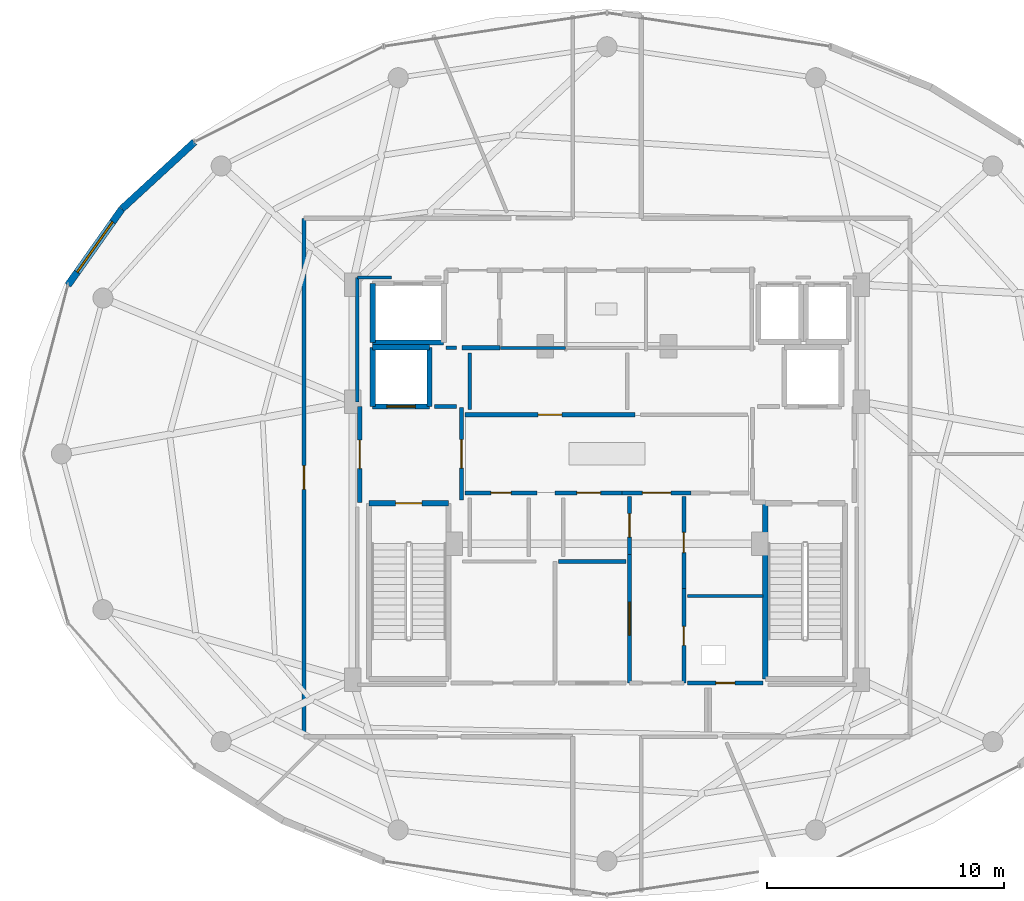
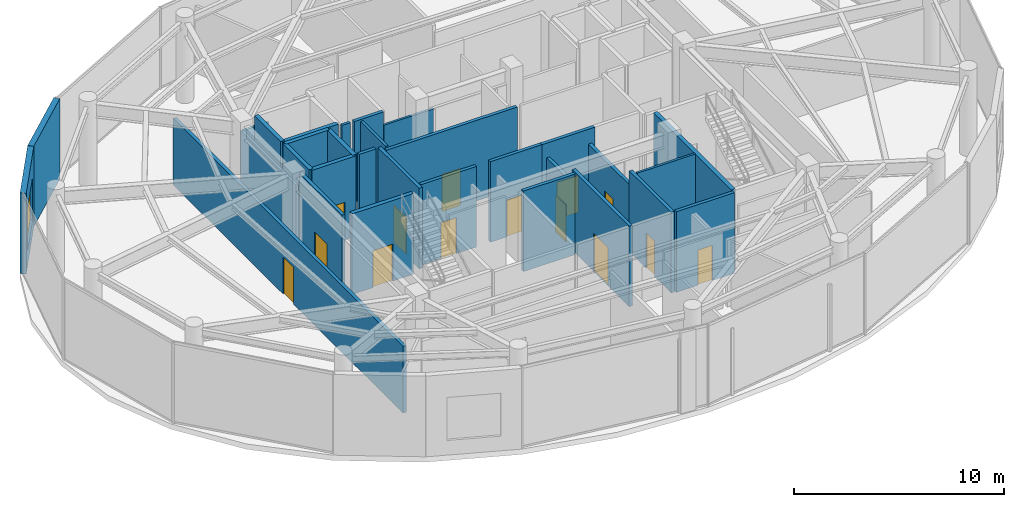
# One storey, part 20 of 24: 31 walls, 14 doors, 1 window, 15 openings.
"""IFC4 building model written with IfcOpenShell, lengths in metres."""

from ifc_helpers import new_model, si_unit, direction, frame, frame_2d, origin, place, context, subcontext, project, spatial, rectangle, extrude, material, layer, layer_set, type_object, element, fill, save


model = new_model("IFC4")

# Units and contexts
model_context = context("Model", 3, precision=1e-05, world=origin(), true_north=direction((0.0, 1.0)))
body_context = subcontext(model_context, "Body", "Model", "MODEL_VIEW")
ifc_project = project(units=[si_unit("LENGTHUNIT", "METRE"), si_unit("AREAUNIT", "SQUARE_METRE"), si_unit("VOLUMEUNIT", "CUBIC_METRE"), si_unit("PLANEANGLEUNIT", "RADIAN"), si_unit("MASSUNIT", "GRAM", prefix="KILO")], contexts=[model_context])

# Site, building, storey
site_placement = place(None, origin())
site = spatial("IfcSite", under=ifc_project, at=site_placement, CompositionType="ELEMENT")
building_placement = place(site_placement, origin())
building = spatial("IfcBuilding", under=site, at=building_placement, Name="Vorneva Point Tower", CompositionType="ELEMENT")
storey_placement = place(building_placement, frame((0.0, 0.0, 285.39990234375)))
storey = spatial("IfcBuildingStorey", under=building, at=storey_placement, Name="L77", CompositionType="ELEMENT", Elevation=285.39990234375)

# Wall, opening, door
ifc_material_1 = material(Name="Concrete B60 (C50/60)", Category="concrete")
ifc_layer_1 = layer(ifc_material_1, 0.35009765625)
ifc_layer_set_1 = layer_set([ifc_layer_1], Name="Concrete B60 (C50/60)")
wall_type_1 = type_object("IfcWallType", Name="WL-CORE-350", PredefinedType="SHEAR", material=ifc_layer_set_1)
wall_1_placement = place(storey_placement, frame((28.10009765625, 28.0, 0.0), z_axis=(0.0, 0.0, 1.0), x_axis=(1.0, 0.0, 0.0)))
wall_1 = element("IfcWall", 1, at=wall_1_placement, inside=storey, type_object=wall_type_1, Name="L77 Lift FFL1 Shaft Wall -Y", PredefinedType="SHEAR", context=body_context, shape_type="SweptSolid", body=[
    extrude(rectangle(XDim=2.39990234375, YDim=0.219970703125, at=frame_2d((1.199951171875, 0.0))), origin(), (0.0, 0.0, 1.0), 4.690185546875),
])
opening_1_placement = place(wall_1_placement, frame((0.60009765625, 0.0, 0.0)))
opening_1 = element("IfcOpeningElement", 2, at=opening_1_placement, cuts=wall_1, Name="Opening LD-02", PredefinedType="OPENING", context=body_context, shape_type="SweptSolid", body=[
    extrude(rectangle(XDim=1.199951171875, YDim=2.199951171875, at=frame_2d((0.60009765625, 1.10009765625))), frame((0.0, 0.125, 0.0), z_axis=(0.0, -1.0, 0.0), x_axis=(1.0, 0.0, 0.0)), (0.0, 0.0, 1.0), 0.249755859375),
])
ifc_material_2 = material(Name="Brushed stainless steel S304", Category="steel")
door_type_1 = type_object("IfcDoorType", Name="LD-FIRE-1200", OperationType="SLIDING_TO_LEFT", PredefinedType="DOOR", material=ifc_material_2)
door_1_placement = place(opening_1_placement, origin())
door_1 = element("IfcDoor", 3, at=door_1_placement, inside=storey, type_object=door_type_1, Name="L77 Lift FFL1 Sliding Landing Door", OperationType="SLIDING_TO_LEFT", OverallHeight=2.199951171875, OverallWidth=1.199951171875, PredefinedType="DOOR", context=body_context, shape_type="SweptSolid", body=[
    extrude(rectangle(XDim=1.199951171875, YDim=2.199951171875, at=frame_2d((0.60009765625, 1.10009765625))), frame((0.0, 0.02490234375, 0.0), z_axis=(0.0, -1.0, 0.0), x_axis=(1.0, 0.0, 0.0)), (0.0, 0.0, 1.0), 0.050048828125),
])
fill(opening_1, door_1)

# Walls
wall_2_placement = place(storey_placement, frame((30.5, 28.0, 0.0), z_axis=(0.0, 0.0, 1.0), x_axis=(0.0, 1.0, 0.0)))
element("IfcWall", 4, at=wall_2_placement, inside=storey, type_object=wall_type_1, Name="L77 Lift FFL1 Shaft Wall +X", PredefinedType="SHEAR", context=body_context, shape_type="SweptSolid", body=[
    extrude(rectangle(XDim=2.5, YDim=0.219970703125, at=frame_2d((1.25, 0.0))), origin(), (0.0, 0.0, 1.0), 4.690185546875),
])
wall_3_placement = place(storey_placement, frame((30.5, 30.5, 0.0), z_axis=(0.0, 0.0, 1.0), x_axis=(-1.0, 0.0, 0.0)))
element("IfcWall", 5, at=wall_3_placement, inside=storey, type_object=wall_type_1, Name="L77 Lift FFL1 Shaft Wall +Y", PredefinedType="SHEAR", context=body_context, shape_type="SweptSolid", body=[
    extrude(rectangle(XDim=2.39990234375, YDim=0.219970703125, at=frame_2d((1.199951171875, 0.0))), origin(), (0.0, 0.0, 1.0), 4.690185546875),
])
wall_4_placement = place(storey_placement, frame((28.10009765625, 30.5, 0.0), z_axis=(0.0, 0.0, 1.0), x_axis=(0.0, -1.0, 0.0)))
element("IfcWall", 6, at=wall_4_placement, inside=storey, type_object=wall_type_1, Name="L77 Lift FFL1 Shaft Wall -X", PredefinedType="SHEAR", context=body_context, shape_type="SweptSolid", body=[
    extrude(rectangle(XDim=2.5, YDim=0.219970703125, at=frame_2d((1.25, 0.0))), origin(), (0.0, 0.0, 1.0), 4.690185546875),
])
ifc_material_3 = material(Name="Precast concrete B50 (C40/50)", Category="concrete")
ifc_layer_2 = layer(ifc_material_3, 0.300048828125)
ifc_layer_set_2 = layer_set([ifc_layer_2], Name="Precast concrete B50 (C40/50)")
wall_type_2 = type_object("IfcWallType", Name="WL-EXT-300", PredefinedType="STANDARD", material=ifc_layer_set_2)
wall_5_placement = place(storey_placement, frame((20.56982421875, 39.17333984375, 0.0), z_axis=(0.0, 0.0, 1.0), x_axis=(-0.735595808164, -0.677420701641, 0.0)))
element("IfcWall", 7, at=wall_5_placement, inside=storey, type_object=wall_type_2, Name="L77 Pale-Metal Facade Spandrel Wall 07.1", PredefinedType="STANDARD", context=body_context, shape_type="SweptSolid", body=[
    extrude(rectangle(XDim=4.167236328125, YDim=0.300048828125, at=frame_2d((2.08349609375, 0.0))), origin(), (0.0, 0.0, 1.0), 4.690185546875),
])

# Wall, opening, window
wall_6_placement = place(storey_placement, frame((17.50439453125, 36.350341796875, 0.0), z_axis=(0.0, 0.0, 1.0), x_axis=(-0.577438563223, -0.816434140457, 0.0)))
wall_6 = element("IfcWall", 8, at=wall_6_placement, inside=storey, type_object=wall_type_2, Name="L77 Pale-Metal Facade Spandrel Wall 07.2", PredefinedType="STANDARD", context=body_context, shape_type="SweptSolid", body=[
    extrude(rectangle(XDim=3.945068359375, YDim=0.300048828125, at=frame_2d((1.97265625, 0.0))), origin(), (0.0, 0.0, 1.0), 4.690185546875),
])
opening_2_placement = place(wall_6_placement, frame((0.672607421875, 0.0, 0.85009765625)))
opening_2 = element("IfcOpeningElement", 9, at=opening_2_placement, cuts=wall_6, Name="Opening W-06", PredefinedType="OPENING", context=body_context, shape_type="SweptSolid", body=[
    extrude(rectangle(XDim=2.60009765625, YDim=2.5, at=frame_2d((1.300048828125, 1.25))), frame((0.0, 0.1650390625, 0.0), z_axis=(0.0, -1.0, 0.0), x_axis=(1.0, 0.0, 0.0)), (0.0, 0.0, 1.0), 0.329833984375),
])
ifc_material_4 = material(Name="Double low-e laminated glass IGU", Category="glass")
window_type = type_object("IfcWindowType", Name="WN-OBS-2600", PartitioningType="SINGLE_PANEL", PredefinedType="WINDOW", material=ifc_material_4)
window_placement = place(opening_2_placement, origin())
window = element("IfcWindow", 10, at=window_placement, inside=storey, type_object=window_type, Name="L77 Facade Window 07", OverallHeight=2.5, OverallWidth=2.60009765625, PartitioningType="SINGLE_PANEL", PredefinedType="WINDOW", context=body_context, shape_type="SweptSolid", body=[
    extrude(rectangle(XDim=2.60009765625, YDim=2.5, at=frame_2d((1.300048828125, 1.25))), frame((0.0, 0.030029296875, 0.0), z_axis=(0.0, -1.0, 0.0), x_axis=(1.0, 0.0, 0.0)), (0.0, 0.0, 1.0), 0.06005859375),
])
fill(opening_2, window)

# Walls
ifc_material_5 = material(Name="Fire-rated acoustic gypsum stud partition", Category="gypsum")
ifc_layer_3 = layer(ifc_material_5, 0.125)
ifc_layer_set_3 = layer_set([ifc_layer_3], Name="Fire-rated acoustic gypsum stud partition")
wall_type_3 = type_object("IfcWallType", Name="WL-PART-125", PredefinedType="PARTITIONING", material=ifc_layer_set_3)
wall_7_placement = place(storey_placement, frame((44.60009765625, 20.0, 0.0), z_axis=(0.0, 0.0, 1.0), x_axis=(-1.0, 0.0, 0.0)))
element("IfcWall", 11, at=wall_7_placement, inside=storey, type_object=wall_type_3, Name="L77 Interior Partition 020", PredefinedType="PARTITIONING", context=body_context, shape_type="SweptSolid", body=[
    extrude(rectangle(XDim=3.2001953125, YDim=0.125, at=frame_2d((1.60009765625, 0.0))), origin(), (0.0, 0.0, 1.0), 4.690185546875),
])
wall_8_placement = place(storey_placement, frame((33.5, 30.47998046875, 0.0), z_axis=(0.0, 0.0, 1.0), x_axis=(1.0, 0.0, 0.0)))
element("IfcWall", 12, at=wall_8_placement, inside=storey, type_object=wall_type_3, Name="L77 Interior Partition 023", PredefinedType="PARTITIONING", context=body_context, shape_type="SweptSolid", body=[
    extrude(rectangle(XDim=2.75, YDim=0.125, at=frame_2d((1.375, 0.0))), origin(), (0.0, 0.0, 1.0), 3.882080078125),
])
ifc_layer_4 = layer(ifc_material_5, 0.139892578125)
ifc_layer_set_4 = layer_set([ifc_layer_4], Name="Fire-rated acoustic gypsum stud partition")
wall_type_4 = type_object("IfcWallType", Name="WL-PART-140", PredefinedType="PARTITIONING", material=ifc_layer_set_4)
wall_9_placement = place(storey_placement, frame((31.199951171875, 30.47998046875, 0.0), z_axis=(0.0, 0.0, 1.0), x_axis=(1.0, 0.0, 0.0)))
element("IfcWall", 13, at=wall_9_placement, inside=storey, type_object=wall_type_4, Name="L77 Interior Closure Partition 051", PredefinedType="PARTITIONING", context=body_context, shape_type="SweptSolid", body=[
    extrude(rectangle(XDim=0.449951171875, YDim=0.139892578125, at=frame_2d((0.22509765625, 0.0))), origin(), (0.0, 0.0, 1.0), 4.690185546875),
])
wall_10_placement = place(storey_placement, frame((32.199951171875, 30.260009765625, 0.0), z_axis=(0.0, 0.0, 1.0), x_axis=(0.0, -1.0, 0.0)))
element("IfcWall", 14, at=wall_10_placement, inside=storey, type_object=wall_type_4, Name="L77 Interior Closure Partition 055", PredefinedType="PARTITIONING", context=body_context, shape_type="SweptSolid", body=[
    extrude(rectangle(XDim=2.389892578125, YDim=0.139892578125, at=frame_2d((1.19482421875, 0.0))), origin(), (0.0, 0.0, 1.0), 4.690185546875),
])
wall_11_placement = place(storey_placement, frame((28.89404296875, 33.449951171875, 0.0), z_axis=(0.0, 0.0, 1.0), x_axis=(-1.0, 0.0, 0.0)))
element("IfcWall", 15, at=wall_11_placement, inside=storey, type_object=wall_type_4, Name="L77 Interior Closure Partition 071", PredefinedType="PARTITIONING", context=body_context, shape_type="SweptSolid", body=[
    extrude(rectangle(XDim=1.444091796875, YDim=0.139892578125, at=frame_2d((0.72216796875, 0.0))), origin(), (0.0, 0.0, 1.0), 3.882080078125),
])
wall_12_placement = place(storey_placement, frame((27.449951171875, 33.449951171875, 0.0), z_axis=(0.0, 0.0, 1.0), x_axis=(0.0, -1.0, 0.0)))
element("IfcWall", 16, at=wall_12_placement, inside=storey, type_object=wall_type_4, Name="L77 Interior Closure Partition 072", PredefinedType="PARTITIONING", context=body_context, shape_type="SweptSolid", body=[
    extrude(rectangle(XDim=5.25390625, YDim=0.139892578125, at=frame_2d((2.626953125, 0.0))), origin(), (0.0, 0.0, 1.0), 3.882080078125),
])

# Wall, opening, door
ifc_material_6 = material(Name="Autoclaved aerated concrete blockwork", Category="masonry")
ifc_layer_5 = layer(ifc_material_6, 0.179931640625)
ifc_layer_set_5 = layer_set([ifc_layer_5], Name="Autoclaved aerated concrete blockwork")
wall_type_5 = type_object("IfcWallType", Name="WL-PART-180", PredefinedType="PARTITIONING", material=ifc_layer_set_5)
wall_13_placement = place(storey_placement, frame((31.85009765625, 24.044921875, 0.0), z_axis=(0.0, 0.0, 1.0), x_axis=(0.0, 1.0, 0.0)))
wall_13 = element("IfcWall", 17, at=wall_13_placement, inside=storey, type_object=wall_type_5, Name="L77 Interior Partition 001", PredefinedType="PARTITIONING", context=body_context, shape_type="SweptSolid", body=[
    extrude(rectangle(XDim=3.91015625, YDim=0.179931640625, at=frame_2d((1.955078125, 0.0))), origin(), (0.0, 0.0, 1.0), 4.690185546875),
])
opening_3_placement = place(wall_13_placement, frame((1.35498046875, 0.0, 0.0)))
opening_3 = element("IfcOpeningElement", 18, at=opening_3_placement, cuts=wall_13, Name="Opening FD-02", PredefinedType="OPENING", context=body_context, shape_type="SweptSolid", body=[
    extrude(rectangle(XDim=1.199951171875, YDim=2.14990234375, at=frame_2d((0.60009765625, 1.074951171875))), frame((0.0, 0.10498046875, 0.0), z_axis=(0.0, -1.0, 0.0), x_axis=(1.0, 0.0, 0.0)), (0.0, 0.0, 1.0), 0.209716796875),
])
ifc_material_7 = material(Name="Fire-rated powder-coated steel", Category="steel")
door_type_2 = type_object("IfcDoorType", Name="DR-FFL-1200", OperationType="NOTDEFINED", PredefinedType="DOOR", material=ifc_material_7)
door_2_placement = place(opening_3_placement, origin())
door_2 = element("IfcDoor", 19, at=door_2_placement, inside=storey, type_object=door_type_2, Name="L77 Door West Firefighting Lobby / Central Lift Lobby", OperationType="SINGLE_SWING_LEFT", OverallHeight=2.14990234375, OverallWidth=1.199951171875, PredefinedType="DOOR", context=body_context, shape_type="SweptSolid", body=[
    extrude(rectangle(XDim=1.199951171875, YDim=2.14990234375, at=frame_2d((0.60009765625, 1.074951171875))), frame((0.0, 0.02490234375, 0.0), z_axis=(0.0, -1.0, 0.0), x_axis=(1.0, 0.0, 0.0)), (0.0, 0.0, 1.0), 0.050048828125),
])
fill(opening_3, door_2)

wall_14_placement = place(storey_placement, frame((27.550048828125, 28.0, 0.0), z_axis=(0.0, 0.0, 1.0), x_axis=(0.0, -1.0, 0.0)))
wall_14 = element("IfcWall", 20, at=wall_14_placement, inside=storey, type_object=wall_type_5, Name="L77 Interior Partition 002", PredefinedType="PARTITIONING", context=body_context, shape_type="SweptSolid", body=[
    extrude(rectangle(XDim=4.050048828125, YDim=0.179931640625, at=frame_2d((2.02490234375, 0.0))), origin(), (0.0, 0.0, 1.0), 4.690185546875),
])
opening_4_placement = place(wall_14_placement, frame((1.425048828125, 0.0, 0.0)))
opening_4 = element("IfcOpeningElement", 21, at=opening_4_placement, cuts=wall_14, Name="Opening FD-02", PredefinedType="OPENING", context=body_context, shape_type="SweptSolid", body=[
    extrude(rectangle(XDim=1.199951171875, YDim=2.14990234375, at=frame_2d((0.60009765625, 1.074951171875))), frame((0.0, 0.10498046875, 0.0), z_axis=(0.0, -1.0, 0.0), x_axis=(1.0, 0.0, 0.0)), (0.0, 0.0, 1.0), 0.209716796875),
])
door_3_placement = place(opening_4_placement, origin())
door_3 = element("IfcDoor", 22, at=door_3_placement, inside=storey, type_object=door_type_2, Name="L77 Door West Firefighting Lobby / L77 Circulation Corridor", OperationType="SINGLE_SWING_RIGHT", OverallHeight=2.14990234375, OverallWidth=1.199951171875, PredefinedType="DOOR", context=body_context, shape_type="SweptSolid", body=[
    extrude(rectangle(XDim=1.199951171875, YDim=2.14990234375, at=frame_2d((0.60009765625, 1.074951171875))), frame((0.0, 0.02490234375, 0.0), z_axis=(0.0, -1.0, 0.0), x_axis=(1.0, 0.0, 0.0)), (0.0, 0.0, 1.0), 0.050048828125),
])
fill(opening_4, door_3)

# Wall
wall_15_placement = place(storey_placement, frame((31.8701171875, 30.47998046875, 0.0), z_axis=(0.0, 0.0, 1.0), x_axis=(1.0, 0.0, 0.0)))
element("IfcWall", 23, at=wall_15_placement, inside=storey, type_object=wall_type_5, Name="L77 Interior Partition 007", PredefinedType="PARTITIONING", context=body_context, shape_type="SweptSolid", body=[
    extrude(rectangle(XDim=1.599853515625, YDim=0.179931640625, at=frame_2d((0.7998046875, 0.0))), origin(), (0.0, 0.0, 1.0), 4.690185546875),
])

# Wall, opening, door
wall_16_placement = place(storey_placement, frame((38.64501953125, 24.35009765625, 0.0), z_axis=(0.0, 0.0, 1.0), x_axis=(1.0, 0.0, 0.0)))
wall_16 = element("IfcWall", 24, at=wall_16_placement, inside=storey, type_object=wall_type_5, Name="L77 Interior Partition 010", PredefinedType="PARTITIONING", context=body_context, shape_type="SweptSolid", body=[
    extrude(rectangle(XDim=2.909912109375, YDim=0.179931640625, at=frame_2d((1.455078125, 0.0))), origin(), (0.0, 0.0, 1.0), 4.690185546875),
])
opening_5_placement = place(wall_16_placement, frame((0.85498046875, 0.0, 0.0)))
opening_5 = element("IfcOpeningElement", 25, at=opening_5_placement, cuts=wall_16, Name="Opening FD-02", PredefinedType="OPENING", context=body_context, shape_type="SweptSolid", body=[
    extrude(rectangle(XDim=1.199951171875, YDim=2.14990234375, at=frame_2d((0.60009765625, 1.074951171875))), frame((0.0, 0.10498046875, 0.0), z_axis=(0.0, -1.0, 0.0), x_axis=(1.0, 0.0, 0.0)), (0.0, 0.0, 1.0), 0.209716796875),
])
door_4_placement = place(opening_5_placement, origin())
door_4 = element("IfcDoor", 26, at=door_4_placement, inside=storey, type_object=door_type_2, Name="L77 Door Central Lift Lobby / Core Service Lobby", OperationType="SINGLE_SWING_LEFT", OverallHeight=2.14990234375, OverallWidth=1.199951171875, PredefinedType="DOOR", context=body_context, shape_type="SweptSolid", body=[
    extrude(rectangle(XDim=1.199951171875, YDim=2.14990234375, at=frame_2d((0.60009765625, 1.074951171875))), frame((0.0, 0.02490234375, 0.0), z_axis=(0.0, -1.0, 0.0), x_axis=(1.0, 0.0, 0.0)), (0.0, 0.0, 1.0), 0.050048828125),
])
fill(opening_5, door_4)

wall_17_placement = place(storey_placement, frame((39.18994140625, 27.64990234375, 0.0), z_axis=(0.0, 0.0, 1.0), x_axis=(-1.0, 0.0, 0.0)))
wall_17 = element("IfcWall", 27, at=wall_17_placement, inside=storey, type_object=wall_type_5, Name="L77 Interior Partition 012", PredefinedType="PARTITIONING", context=body_context, shape_type="SweptSolid", body=[
    extrude(rectangle(XDim=7.18994140625, YDim=0.179931640625, at=frame_2d((3.594970703125, 0.0))), origin(), (0.0, 0.0, 1.0), 4.690185546875),
])
opening_6_placement = place(wall_17_placement, frame((3.094970703125, 0.0, 0.0)))
opening_6 = element("IfcOpeningElement", 28, at=opening_6_placement, cuts=wall_17, Name="Opening UD-01", PredefinedType="OPENING", context=body_context, shape_type="SweptSolid", body=[
    extrude(rectangle(XDim=1.0, YDim=2.14990234375, at=frame_2d((0.5, 1.074951171875))), frame((0.0, 0.10498046875, 0.0), z_axis=(0.0, -1.0, 0.0), x_axis=(1.0, 0.0, 0.0)), (0.0, 0.0, 1.0), 0.209716796875),
])
ifc_material_8 = material(Name="Engineered oak fire-rated door leaf", Category="wood")
door_type_3 = type_object("IfcDoorType", Name="DR-UNIT-1000", OperationType="NOTDEFINED", PredefinedType="DOOR", material=ifc_material_8)
door_5_placement = place(opening_6_placement, origin())
door_5 = element("IfcDoor", 29, at=door_5_placement, inside=storey, type_object=door_type_3, Name="L77 Door Central Lift Lobby / Reclaimed Core Meeting Room", OperationType="SINGLE_SWING_LEFT", OverallHeight=2.14990234375, OverallWidth=1.0, PredefinedType="DOOR", context=body_context, shape_type="SweptSolid", body=[
    extrude(rectangle(XDim=1.0, YDim=2.14990234375, at=frame_2d((0.5, 1.074951171875))), frame((0.0, 0.02490234375, 0.0), z_axis=(0.0, -1.0, 0.0), x_axis=(1.0, 0.0, 0.0)), (0.0, 0.0, 1.0), 0.050048828125),
])
fill(opening_6, door_5)

wall_18_placement = place(storey_placement, frame((32.0, 24.35009765625, 0.0), z_axis=(0.0, 0.0, 1.0), x_axis=(1.0, 0.0, 0.0)))
wall_18 = element("IfcWall", 30, at=wall_18_placement, inside=storey, type_object=wall_type_5, Name="L77 Interior Partition 013", PredefinedType="PARTITIONING", context=body_context, shape_type="SweptSolid", body=[
    extrude(rectangle(XDim=3.0400390625, YDim=0.179931640625, at=frame_2d((1.52001953125, 0.0))), origin(), (0.0, 0.0, 1.0), 4.690185546875),
])
opening_7_placement = place(wall_18_placement, frame((1.094970703125, 0.0, 0.0)))
opening_7 = element("IfcOpeningElement", 31, at=opening_7_placement, cuts=wall_18, Name="Opening ID-02", PredefinedType="OPENING", context=body_context, shape_type="SweptSolid", body=[
    extrude(rectangle(XDim=0.85009765625, YDim=2.10009765625, at=frame_2d((0.425048828125, 1.050048828125))), frame((0.0, 0.10498046875, 0.0), z_axis=(0.0, -1.0, 0.0), x_axis=(1.0, 0.0, 0.0)), (0.0, 0.0, 1.0), 0.209716796875),
])
door_type_4 = type_object("IfcDoorType", Name="DR-BATH-850", OperationType="NOTDEFINED", PredefinedType="DOOR", material=ifc_material_8)
door_6_placement = place(opening_7_placement, origin())
door_6 = element("IfcDoor", 32, at=door_6_placement, inside=storey, type_object=door_type_4, Name="L77 Door Central Lift Lobby / Reclaimed High-Zone Valet Room", OperationType="SINGLE_SWING_RIGHT", OverallHeight=2.10009765625, OverallWidth=0.85009765625, PredefinedType="DOOR", context=body_context, shape_type="SweptSolid", body=[
    extrude(rectangle(XDim=0.85009765625, YDim=2.10009765625, at=frame_2d((0.425048828125, 1.050048828125))), frame((0.0, 0.02490234375, 0.0), z_axis=(0.0, -1.0, 0.0), x_axis=(1.0, 0.0, 0.0)), (0.0, 0.0, 1.0), 0.050048828125),
])
fill(opening_7, door_6)

wall_19_placement = place(storey_placement, frame((35.81005859375, 24.35009765625, 0.0), z_axis=(0.0, 0.0, 1.0), x_axis=(1.0, 0.0, 0.0)))
wall_19 = element("IfcWall", 33, at=wall_19_placement, inside=storey, type_object=wall_type_5, Name="L77 Interior Partition 014", PredefinedType="PARTITIONING", context=body_context, shape_type="SweptSolid", body=[
    extrude(rectangle(XDim=2.8349609375, YDim=0.179931640625, at=frame_2d((1.41748046875, 0.0))), origin(), (0.0, 0.0, 1.0), 4.690185546875),
])
opening_8_placement = place(wall_19_placement, frame((0.91748046875, 0.0, 0.0)))
opening_8 = element("IfcOpeningElement", 34, at=opening_8_placement, cuts=wall_19, Name="Opening UD-01", PredefinedType="OPENING", context=body_context, shape_type="SweptSolid", body=[
    extrude(rectangle(XDim=1.0, YDim=2.14990234375, at=frame_2d((0.5, 1.074951171875))), frame((0.0, 0.10498046875, 0.0), z_axis=(0.0, -1.0, 0.0), x_axis=(1.0, 0.0, 0.0)), (0.0, 0.0, 1.0), 0.209716796875),
])
door_7_placement = place(opening_8_placement, origin())
door_7 = element("IfcDoor", 35, at=door_7_placement, inside=storey, type_object=door_type_3, Name="L77 Door Central Lift Lobby / Reclaimed High-Zone Tasting Room", OperationType="SINGLE_SWING_LEFT", OverallHeight=2.14990234375, OverallWidth=1.0, PredefinedType="DOOR", context=body_context, shape_type="SweptSolid", body=[
    extrude(rectangle(XDim=1.0, YDim=2.14990234375, at=frame_2d((0.5, 1.074951171875))), frame((0.0, 0.02490234375, 0.0), z_axis=(0.0, -1.0, 0.0), x_axis=(1.0, 0.0, 0.0)), (0.0, 0.0, 1.0), 0.050048828125),
])
fill(opening_8, door_7)

wall_20_placement = place(storey_placement, frame((41.25, 16.320068359375, 0.0), z_axis=(0.0, 0.0, 1.0), x_axis=(0.0, 1.0, 0.0)))
wall_20 = element("IfcWall", 36, at=wall_20_placement, inside=storey, type_object=wall_type_5, Name="L77 Interior Partition 015", PredefinedType="PARTITIONING", context=body_context, shape_type="SweptSolid", body=[
    extrude(rectangle(XDim=3.98486328125, YDim=0.179931640625, at=frame_2d((1.992431640625, 0.0))), origin(), (0.0, 0.0, 1.0), 4.690185546875),
])
opening_9_placement = place(wall_20_placement, frame((1.592529296875, 0.0, 0.0)))
opening_9 = element("IfcOpeningElement", 37, at=opening_9_placement, cuts=wall_20, Name="Opening RD-01", PredefinedType="OPENING", context=body_context, shape_type="SweptSolid", body=[
    extrude(rectangle(XDim=0.800048828125, YDim=2.050048828125, at=frame_2d((0.39990234375, 1.02490234375))), frame((0.0, 0.10498046875, 0.0), z_axis=(0.0, -1.0, 0.0), x_axis=(1.0, 0.0, 0.0)), (0.0, 0.0, 1.0), 0.209716796875),
])
door_type_5 = type_object("IfcDoorType", Name="DR-RSR-800", OperationType="SINGLE_SWING_LEFT", PredefinedType="DOOR", material=ifc_material_7)
door_8_placement = place(opening_9_placement, origin())
door_8 = element("IfcDoor", 38, at=door_8_placement, inside=storey, type_object=door_type_5, Name="L77 Door Core Service Lobby / Electrical Riser", OperationType="SINGLE_SWING_RIGHT", OverallHeight=2.050048828125, OverallWidth=0.800048828125, PredefinedType="DOOR", context=body_context, shape_type="SweptSolid", body=[
    extrude(rectangle(XDim=0.800048828125, YDim=2.050048828125, at=frame_2d((0.39990234375, 1.02490234375))), frame((0.0, 0.02490234375, 0.0), z_axis=(0.0, -1.0, 0.0), x_axis=(1.0, 0.0, 0.0)), (0.0, 0.0, 1.0), 0.050048828125),
])
fill(opening_9, door_8)

wall_21_placement = place(storey_placement, frame((41.25, 20.304931640625, 0.0), z_axis=(0.0, 0.0, 1.0), x_axis=(0.0, 1.0, 0.0)))
wall_21 = element("IfcWall", 39, at=wall_21_placement, inside=storey, type_object=wall_type_5, Name="L77 Interior Partition 016", PredefinedType="PARTITIONING", context=body_context, shape_type="SweptSolid", body=[
    extrude(rectangle(XDim=3.89501953125, YDim=0.179931640625, at=frame_2d((1.947509765625, 0.0))), origin(), (0.0, 0.0, 1.0), 3.882080078125),
])
opening_10_placement = place(wall_21_placement, frame((1.5224609375, 0.0, 0.0)))
opening_10 = element("IfcOpeningElement", 40, at=opening_10_placement, cuts=wall_21, Name="Opening ID-02", PredefinedType="OPENING", context=body_context, shape_type="SweptSolid", body=[
    extrude(rectangle(XDim=0.85009765625, YDim=2.10009765625, at=frame_2d((0.425048828125, 1.050048828125))), frame((0.0, 0.10498046875, 0.0), z_axis=(0.0, -1.0, 0.0), x_axis=(1.0, 0.0, 0.0)), (0.0, 0.0, 1.0), 0.209716796875),
])
door_9_placement = place(opening_10_placement, origin())
door_9 = element("IfcDoor", 41, at=door_9_placement, inside=storey, type_object=door_type_4, Name="L77 Door Core Service Lobby / Valet and Parcel Room", OperationType="SINGLE_SWING_LEFT", OverallHeight=2.10009765625, OverallWidth=0.85009765625, PredefinedType="DOOR", context=body_context, shape_type="SweptSolid", body=[
    extrude(rectangle(XDim=0.85009765625, YDim=2.10009765625, at=frame_2d((0.425048828125, 1.050048828125))), frame((0.0, 0.02490234375, 0.0), z_axis=(0.0, -1.0, 0.0), x_axis=(1.0, 0.0, 0.0)), (0.0, 0.0, 1.0), 0.050048828125),
])
fill(opening_10, door_9)

wall_22_placement = place(storey_placement, frame((38.949951171875, 21.7548828125, 0.0), z_axis=(0.0, 0.0, 1.0), x_axis=(0.0, -1.0, 0.0)))
wall_22 = element("IfcWall", 42, at=wall_22_placement, inside=storey, type_object=wall_type_5, Name="L77 Interior Partition 017", PredefinedType="PARTITIONING", context=body_context, shape_type="SweptSolid", body=[
    extrude(rectangle(XDim=5.434814453125, YDim=0.179931640625, at=frame_2d((2.71728515625, 0.0))), origin(), (0.0, 0.0, 1.0), 4.690185546875),
])
opening_11_placement = place(wall_22_placement, frame((2.017578125, 0.0, 0.0)))
opening_11 = element("IfcOpeningElement", 43, at=opening_11_placement, cuts=wall_22, Name="Opening FD-03", PredefinedType="OPENING", context=body_context, shape_type="SweptSolid", body=[
    extrude(rectangle(XDim=1.39990234375, YDim=2.199951171875, at=frame_2d((0.699951171875, 1.10009765625))), frame((0.0, 0.10498046875, 0.0), z_axis=(0.0, -1.0, 0.0), x_axis=(1.0, 0.0, 0.0)), (0.0, 0.0, 1.0), 0.209716796875),
])
door_type_6 = type_object("IfcDoorType", Name="DR-PLT-1400", OperationType="DOUBLE_SWING_LEFT", PredefinedType="DOOR", material=ifc_material_7)
door_10_placement = place(opening_11_placement, origin())
door_10 = element("IfcDoor", 44, at=door_10_placement, inside=storey, type_object=door_type_6, Name="L77 Door Core Service Lobby / Telecoms and Data Room", OperationType="DOUBLE_SWING_LEFT", OverallHeight=2.199951171875, OverallWidth=1.39990234375, PredefinedType="DOOR", context=body_context, shape_type="SweptSolid", body=[
    extrude(rectangle(XDim=1.39990234375, YDim=2.199951171875, at=frame_2d((0.699951171875, 1.10009765625))), frame((0.0, 0.02490234375, 0.0), z_axis=(0.0, -1.0, 0.0), x_axis=(1.0, 0.0, 0.0)), (0.0, 0.0, 1.0), 0.050048828125),
])
fill(opening_11, door_10)

wall_23_placement = place(storey_placement, frame((38.949951171875, 24.199951171875, 0.0), z_axis=(0.0, 0.0, 1.0), x_axis=(0.0, -1.0, 0.0)))
wall_23 = element("IfcWall", 45, at=wall_23_placement, inside=storey, type_object=wall_type_5, Name="L77 Interior Partition 018", PredefinedType="PARTITIONING", context=body_context, shape_type="SweptSolid", body=[
    extrude(rectangle(XDim=2.445068359375, YDim=0.179931640625, at=frame_2d((1.22265625, 0.0))), origin(), (0.0, 0.0, 1.0), 3.882080078125),
])
opening_12_placement = place(wall_23_placement, frame((0.722412109375, 0.0, 0.0)))
opening_12 = element("IfcOpeningElement", 46, at=opening_12_placement, cuts=wall_23, Name="Opening UD-01", PredefinedType="OPENING", context=body_context, shape_type="SweptSolid", body=[
    extrude(rectangle(XDim=1.0, YDim=2.14990234375, at=frame_2d((0.5, 1.074951171875))), frame((0.0, 0.10498046875, 0.0), z_axis=(0.0, -1.0, 0.0), x_axis=(1.0, 0.0, 0.0)), (0.0, 0.0, 1.0), 0.209716796875),
])
door_11_placement = place(opening_12_placement, origin())
door_11 = element("IfcDoor", 47, at=door_11_placement, inside=storey, type_object=door_type_3, Name="L77 Door Core Service Lobby / Reclaimed High-Zone Tasting Room", OperationType="SINGLE_SWING_LEFT", OverallHeight=2.14990234375, OverallWidth=1.0, PredefinedType="DOOR", context=body_context, shape_type="SweptSolid", body=[
    extrude(rectangle(XDim=1.0, YDim=2.14990234375, at=frame_2d((0.5, 1.074951171875))), frame((0.0, 0.02490234375, 0.0), z_axis=(0.0, -1.0, 0.0), x_axis=(1.0, 0.0, 0.0)), (0.0, 0.0, 1.0), 0.050048828125),
])
fill(opening_12, door_11)

wall_24_placement = place(storey_placement, frame((41.39990234375, 16.320068359375, 0.0), z_axis=(0.0, 0.0, 1.0), x_axis=(1.0, 0.0, 0.0)))
wall_24 = element("IfcWall", 48, at=wall_24_placement, inside=storey, type_object=wall_type_5, Name="L77 Interior Partition 021", PredefinedType="PARTITIONING", context=body_context, shape_type="SweptSolid", body=[
    extrude(rectangle(XDim=3.2001953125, YDim=0.179931640625, at=frame_2d((1.60009765625, 0.0))), origin(), (0.0, 0.0, 1.0), 4.690185546875),
])
opening_13_placement = place(wall_24_placement, frame((1.199951171875, 0.0, 0.0)))
opening_13 = element("IfcOpeningElement", 49, at=opening_13_placement, cuts=wall_24, Name="Opening RD-01", PredefinedType="OPENING", context=body_context, shape_type="SweptSolid", body=[
    extrude(rectangle(XDim=0.800048828125, YDim=2.050048828125, at=frame_2d((0.39990234375, 1.02490234375))), frame((0.0, 0.10498046875, 0.0), z_axis=(0.0, -1.0, 0.0), x_axis=(1.0, 0.0, 0.0)), (0.0, 0.0, 1.0), 0.209716796875),
])
door_12_placement = place(opening_13_placement, origin())
door_12 = element("IfcDoor", 50, at=door_12_placement, inside=storey, type_object=door_type_5, Name="L77 Door Electrical Riser / L77 Circulation Corridor", OperationType="SINGLE_SWING_LEFT", OverallHeight=2.050048828125, OverallWidth=0.800048828125, PredefinedType="DOOR", context=body_context, shape_type="SweptSolid", body=[
    extrude(rectangle(XDim=0.800048828125, YDim=2.050048828125, at=frame_2d((0.39990234375, 1.02490234375))), frame((0.0, 0.02490234375, 0.0), z_axis=(0.0, -1.0, 0.0), x_axis=(1.0, 0.0, 0.0)), (0.0, 0.0, 1.0), 0.050048828125),
])
fill(opening_13, door_12)

# Wall
wall_25_placement = place(storey_placement, frame((38.800048828125, 21.449951171875, 0.0), z_axis=(0.0, 0.0, 1.0), x_axis=(-1.0, 0.0, 0.0)))
element("IfcWall", 51, at=wall_25_placement, inside=storey, type_object=wall_type_5, Name="L77 Interior Partition 033", PredefinedType="PARTITIONING", context=body_context, shape_type="SweptSolid", body=[
    extrude(rectangle(XDim=2.85009765625, YDim=0.179931640625, at=frame_2d((1.425048828125, 0.0))), origin(), (0.0, 0.0, 1.0), 4.690185546875),
])

# Wall, opening, door
wall_26_placement = place(storey_placement, frame((25.199951171875, 35.949951171875, 0.0), z_axis=(0.0, 0.0, 1.0), x_axis=(0.0, -1.0, 0.0)))
wall_26 = element("IfcWall", 52, at=wall_26_placement, inside=storey, type_object=wall_type_5, Name="L77 Interior Partition 040", PredefinedType="PARTITIONING", context=body_context, shape_type="SweptSolid", body=[
    extrude(rectangle(XDim=21.89990234375, YDim=0.179931640625, at=frame_2d((10.949951171875, 0.0))), origin(), (0.0, 0.0, 1.0), 3.882080078125),
])
opening_14_placement = place(wall_26_placement, frame((10.449951171875, 0.0, 0.0)))
opening_14 = element("IfcOpeningElement", 53, at=opening_14_placement, cuts=wall_26, Name="Opening UD-01", PredefinedType="OPENING", context=body_context, shape_type="SweptSolid", body=[
    extrude(rectangle(XDim=1.0, YDim=2.14990234375, at=frame_2d((0.5, 1.074951171875))), frame((0.0, 0.10498046875, 0.0), z_axis=(0.0, -1.0, 0.0), x_axis=(1.0, 0.0, 0.0)), (0.0, 0.0, 1.0), 0.209716796875),
])
door_13_placement = place(opening_14_placement, origin())
door_13 = element("IfcDoor", 54, at=door_13_placement, inside=storey, type_object=door_type_3, Name="L77 Door L77 Circulation Corridor / Public Observation Deck West", OperationType="SINGLE_SWING_RIGHT", OverallHeight=2.14990234375, OverallWidth=1.0, PredefinedType="DOOR", context=body_context, shape_type="SweptSolid", body=[
    extrude(rectangle(XDim=1.0, YDim=2.14990234375, at=frame_2d((0.5, 1.074951171875))), frame((0.0, 0.02490234375, 0.0), z_axis=(0.0, -1.0, 0.0), x_axis=(1.0, 0.0, 0.0)), (0.0, 0.0, 1.0), 0.050048828125),
])
fill(opening_14, door_13)

# Wall
wall_27_placement = place(storey_placement, frame((31.635009765625, 28.0, 0.0), z_axis=(0.0, 0.0, 1.0), x_axis=(-1.0, 0.0, 0.0)))
element("IfcWall", 55, at=wall_27_placement, inside=storey, type_object=wall_type_5, Name="L77 Interior Closure Partition 049", PredefinedType="PARTITIONING", context=body_context, shape_type="SweptSolid", body=[
    extrude(rectangle(XDim=0.9150390625, YDim=0.179931640625, at=frame_2d((0.45751953125, 0.0))), origin(), (0.0, 0.0, 1.0), 4.690185546875),
])

# Wall, opening, door
ifc_material_9 = material(Name="Concrete B50 (C40/50)", Category="concrete")
ifc_layer_6 = layer(ifc_material_9, 0.219970703125)
ifc_layer_set_6 = layer_set([ifc_layer_6], Name="Concrete B50 (C40/50)")
wall_type_6 = type_object("IfcWallType", Name="WL-SHFT-220", PredefinedType="SOLIDWALL", material=ifc_layer_set_6)
wall_28_placement = place(storey_placement, frame((27.93994140625, 23.909912109375, 0.0), z_axis=(0.0, 0.0, 1.0), x_axis=(1.0, 0.0, 0.0)))
wall_28 = element("IfcWall", 56, at=wall_28_placement, inside=storey, type_object=wall_type_6, Name="L77 Exit Stair ST1 Shaft Wall near", PredefinedType="SOLIDWALL", context=body_context, shape_type="SweptSolid", body=[
    extrude(rectangle(XDim=3.3701171875, YDim=0.219970703125, at=frame_2d((1.68505859375, 0.0))), origin(), (0.0, 0.0, 1.0), 4.690185546875),
])
opening_15_placement = place(wall_28_placement, frame((1.135009765625, 0.0, 0.0)))
opening_15 = element("IfcOpeningElement", 57, at=opening_15_placement, cuts=wall_28, Name="Opening FD-01", PredefinedType="OPENING", context=body_context, shape_type="SweptSolid", body=[
    extrude(rectangle(XDim=1.10009765625, YDim=2.14990234375, at=frame_2d((0.550048828125, 1.074951171875))), frame((0.0, 0.125, 0.0), z_axis=(0.0, -1.0, 0.0), x_axis=(1.0, 0.0, 0.0)), (0.0, 0.0, 1.0), 0.249755859375),
])
door_type_7 = type_object("IfcDoorType", Name="DR-STAIR-1100", OperationType="NOTDEFINED", PredefinedType="DOOR", material=ifc_material_7)
door_14_placement = place(opening_15_placement, origin())
door_14 = element("IfcDoor", 58, at=door_14_placement, inside=storey, type_object=door_type_7, Name="L77 Exit Stair ST1 Fire Door", OperationType="SINGLE_SWING_LEFT", OverallHeight=2.14990234375, OverallWidth=1.10009765625, PredefinedType="DOOR", context=body_context, shape_type="SweptSolid", body=[
    extrude(rectangle(XDim=1.10009765625, YDim=2.14990234375, at=frame_2d((0.550048828125, 1.074951171875))), frame((0.0, 0.02490234375, 0.0), z_axis=(0.0, -1.0, 0.0), x_axis=(1.0, 0.0, 0.0)), (0.0, 0.0, 1.0), 0.050048828125),
])
fill(opening_15, door_14)

# Walls
wall_29_placement = place(storey_placement, frame((44.68994140625, 16.489990234375, 0.0), z_axis=(0.0, 0.0, 1.0), x_axis=(0.0, 1.0, 0.0)))
element("IfcWall", 59, at=wall_29_placement, inside=storey, type_object=wall_type_6, Name="L77 Exit Stair ST2 Shaft Wall left", PredefinedType="SOLIDWALL", context=body_context, shape_type="SweptSolid", body=[
    extrude(rectangle(XDim=7.419921875, YDim=0.219970703125, at=frame_2d((3.7099609375, 0.0))), origin(), (0.0, 0.0, 1.0), 4.690185546875),
])
wall_30_placement = place(storey_placement, frame((28.10009765625, 30.699951171875, 0.0), z_axis=(0.0, 0.0, 1.0), x_axis=(1.0, 0.0, 0.0)))
element("IfcWall", 60, at=wall_30_placement, inside=storey, type_object=wall_type_6, Name="L77 Lift SVL1 Shaft Wall -Y", PredefinedType="SOLIDWALL", context=body_context, shape_type="SweptSolid", body=[
    extrude(rectangle(XDim=3.0, YDim=0.219970703125, at=frame_2d((1.5, 0.0))), origin(), (0.0, 0.0, 1.0), 4.690185546875),
])
wall_31_placement = place(storey_placement, frame((28.10009765625, 33.199951171875, 0.0), z_axis=(0.0, 0.0, 1.0), x_axis=(0.0, -1.0, 0.0)))
element("IfcWall", 61, at=wall_31_placement, inside=storey, type_object=wall_type_6, Name="L77 Lift SVL1 Shaft Wall -X", PredefinedType="SOLIDWALL", context=body_context, shape_type="SweptSolid", body=[
    extrude(rectangle(XDim=2.5, YDim=0.219970703125, at=frame_2d((1.25, 0.0))), origin(), (0.0, 0.0, 1.0), 4.690185546875),
])

save(model, "model.ifc")
